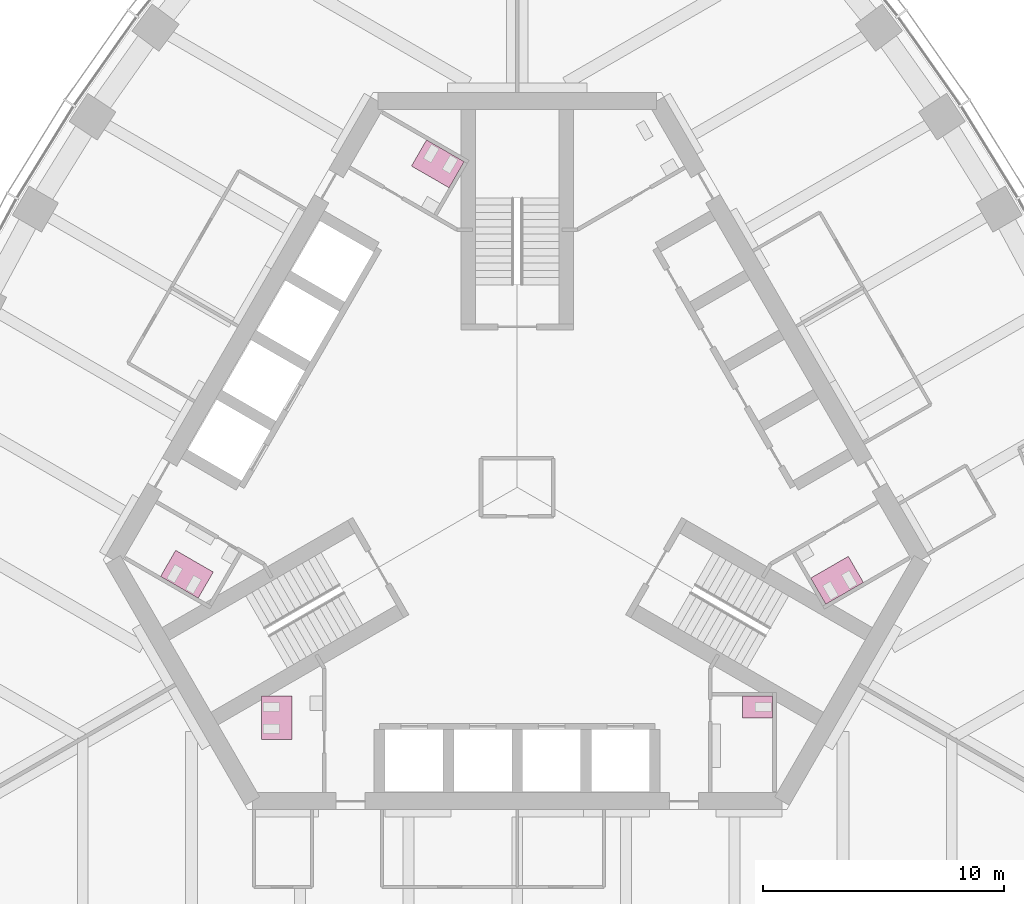
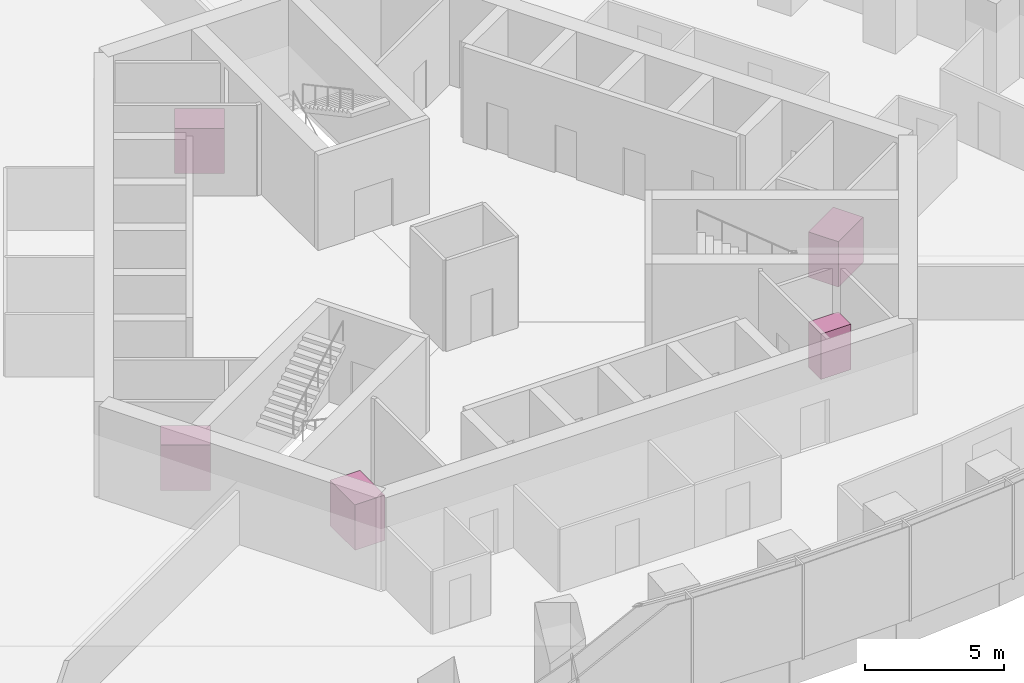
# One storey, part 14 of 14: 5 furniture elements.
"""IFC4 building model written with IfcOpenShell, lengths in metres."""

from ifc_helpers import new_model, si_unit, direction, frame, origin, place, context, subcontext, project, spatial, polyline, outline, extrude, material, type_object, element, save


model = new_model("IFC4")

# Units and contexts
model_context = context("Model", 3, precision=1e-05, world=origin(), true_north=direction((0.0, 1.0)))
body_context = subcontext(model_context, "Body", "Model", "MODEL_VIEW")
ifc_project = project(units=[si_unit("LENGTHUNIT", "METRE"), si_unit("AREAUNIT", "SQUARE_METRE"), si_unit("VOLUMEUNIT", "CUBIC_METRE"), si_unit("PLANEANGLEUNIT", "RADIAN"), si_unit("MASSUNIT", "GRAM", prefix="KILO")], contexts=[model_context])

# Site, building, storey
site_placement = place(None, origin())
site = spatial("IfcSite", under=ifc_project, at=site_placement, CompositionType="ELEMENT")
building_placement = place(site_placement, origin())
building = spatial("IfcBuilding", under=site, at=building_placement, Name="Trefoil Bronze Tower", CompositionType="ELEMENT")
storey_placement = place(building_placement, frame((0.0, 0.0, 280.5)))
storey = spatial("IfcBuildingStorey", under=building, at=storey_placement, Name="L64", CompositionType="ELEMENT", Elevation=280.5)

# Furniture
ifc_material_1 = material(Name="Compact laminate cubicles", Category="plastic")
furniture_type_1 = type_object("IfcFurnitureType", Name="WC cubicle range 1 cubicles", AssemblyPlace="FACTORY", PredefinedType="USERDEFINED", material=ifc_material_1)
furniture_1_placement = place(storey_placement, origin())
element("IfcFurniture", 1, at=furniture_1_placement, inside=storey, type_object=furniture_type_1, Name="WC cubicle range WC (men) L64", ObjectType="WC cubicle range", PredefinedType="USERDEFINED", context=body_context, shape_type="SweptSolid", body=[
    extrude(outline(polyline([(9.3349609375, -8.64990234375), (10.5849609375, -8.64990234375), (10.5849609375, -9.550048828125), (9.3349609375, -9.550048828125), (9.3349609375, -8.64990234375)])), origin(), (0.0, 0.0, 1.0), 2.0),
])
ifc_material_2 = material(Name="Compact laminate cubicles", Category="plastic")
furniture_type_2 = type_object("IfcFurnitureType", Name="WC cubicle range 2 cubicles", AssemblyPlace="FACTORY", PredefinedType="USERDEFINED", material=ifc_material_2)
furniture_2_placement = place(storey_placement, origin())
element("IfcFurniture", 2, at=furniture_2_placement, inside=storey, type_object=furniture_type_2, Name="WC cubicle range WC (women) L64", ObjectType="WC cubicle range", PredefinedType="USERDEFINED", context=body_context, shape_type="SweptSolid", body=[
    extrude(outline(polyline([(12.15869140625, -3.75927734375), (12.78369140625, -4.841796875), (14.342529296875, -3.94189453125), (13.717529296875, -2.859375), (12.15869140625, -3.75927734375)])), origin(), (0.0, 0.0, 1.0), 2.0),
])
furniture_3_placement = place(storey_placement, origin())
element("IfcFurniture", 3, at=furniture_3_placement, inside=storey, type_object=furniture_type_2, Name="WC cubicle range WC (women) L64", ObjectType="WC cubicle range", PredefinedType="USERDEFINED", context=body_context, shape_type="SweptSolid", body=[
    extrude(outline(polyline([(-2.82373046875, 12.409423828125), (-2.19873046875, 13.491943359375), (-3.757568359375, 14.391845703125), (-4.382568359375, 13.309326171875), (-2.82373046875, 12.409423828125)])), origin(), (0.0, 0.0, 1.0), 2.0),
])
furniture_4_placement = place(storey_placement, origin())
element("IfcFurniture", 4, at=furniture_4_placement, inside=storey, type_object=furniture_type_2, Name="WC cubicle range WC (men) L64", ObjectType="WC cubicle range", PredefinedType="USERDEFINED", context=body_context, shape_type="SweptSolid", body=[
    extrude(outline(polyline([(-12.591552734375, -3.50927734375), (-13.216552734375, -4.591796875), (-14.775390625, -3.69189453125), (-14.150390625, -2.609375), (-12.591552734375, -3.50927734375)])), origin(), (0.0, 0.0, 1.0), 2.0),
])
furniture_5_placement = place(storey_placement, origin())
element("IfcFurniture", 5, at=furniture_5_placement, inside=storey, type_object=furniture_type_2, Name="WC cubicle range WC (women) L64", ObjectType="WC cubicle range", PredefinedType="USERDEFINED", context=body_context, shape_type="SweptSolid", body=[
    extrude(outline(polyline([(-9.3349609375, -8.64990234375), (-10.5849609375, -8.64990234375), (-10.5849609375, -10.449951171875), (-9.3349609375, -10.449951171875), (-9.3349609375, -8.64990234375)])), origin(), (0.0, 0.0, 1.0), 2.0),
])

save(model, "model.ifc")
